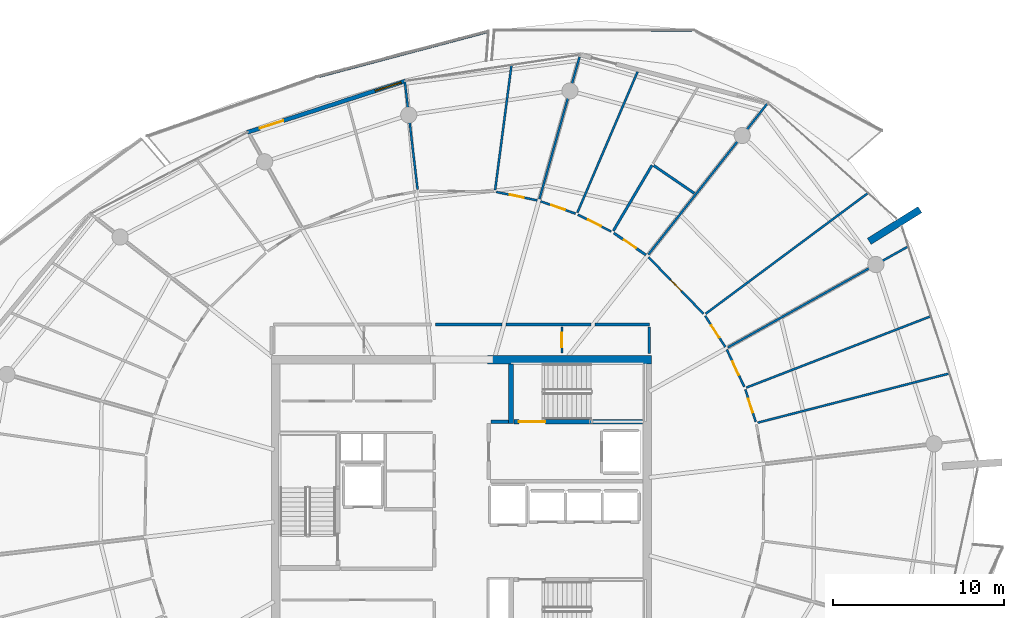
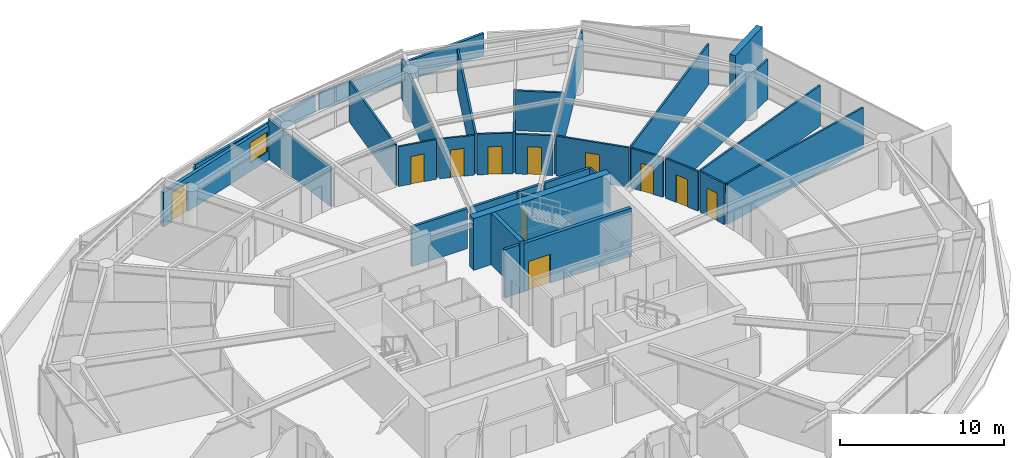
# One storey, part 22 of 30: 32 walls, 11 doors, 1 window, 12 openings.
"""IFC4 building model written with IfcOpenShell, lengths in metres."""

from ifc_helpers import new_model, si_unit, direction, frame, frame_2d, origin, place, context, subcontext, project, spatial, polyline, rectangle, outline, extrude, material, layer, layer_set, type_object, element, fill, save


model = new_model("IFC4")

# Units and contexts
model_context = context("Model", 3, precision=1e-05, world=origin(), true_north=direction((0.0, 1.0)))
body_context = subcontext(model_context, "Body", "Model", "MODEL_VIEW")
ifc_project = project(units=[si_unit("LENGTHUNIT", "METRE"), si_unit("AREAUNIT", "SQUARE_METRE"), si_unit("VOLUMEUNIT", "CUBIC_METRE"), si_unit("PLANEANGLEUNIT", "RADIAN"), si_unit("MASSUNIT", "GRAM", prefix="KILO")], contexts=[model_context])

# Site, building, storey
site_placement = place(None, origin())
site = spatial("IfcSite", under=ifc_project, at=site_placement, CompositionType="ELEMENT")
building_placement = place(site_placement, origin())
building = spatial("IfcBuilding", under=site, at=building_placement, Name="Kazma Halo Residences", CompositionType="ELEMENT")
storey_placement = place(building_placement, frame((0.0, 0.0, 294.449951171875)))
storey = spatial("IfcBuildingStorey", under=building, at=storey_placement, Name="L74", CompositionType="ELEMENT", Elevation=294.449951171875)

# Walls
ifc_material_1 = material(Name="White Concrete C50/60 Balustrade", Category="concrete")
ifc_layer_1 = layer(ifc_material_1, 0.179931640625)
ifc_layer_set_1 = layer_set([ifc_layer_1], Name="White Concrete C50/60 Balustrade")
wall_type_1 = type_object("IfcWallType", Name="WL-BAL-WAVE-180", PredefinedType="PARAPET", material=ifc_layer_set_1)
wall_1_placement = place(storey_placement, frame((61.913330078125, 69.5419921875, 0.0), z_axis=(0.0, 0.0, 1.0), x_axis=(-0.999999919723, -0.000400691688, 0.0)))
element("IfcWall", 1, at=wall_1_placement, inside=storey, type_object=wall_type_1, Name="L74 white wave balustrade wall NE.2", PredefinedType="PARAPET", context=body_context, shape_type="SweptSolid", body=[
    extrude(outline(polyline([(0.0, 0.0), (11.57666015625, 0.0), (11.576904296875, 1.233154296875), (5.788330078125, 1.41796875), (0.0, 1.632080078125), (0.0, 0.0)])), frame((0.0, 0.08984375, 0.0), z_axis=(0.0, -1.0, 0.0), x_axis=(1.0, 0.0, 0.0)), (0.0, 0.0, 1.0), 0.179931640625),
])
wall_2_placement = place(storey_placement, frame((49.993408203125, 69.47265625, 0.0), z_axis=(0.0, 0.0, 1.0), x_axis=(-0.96657188746, -0.256395761219, 0.0)))
element("IfcWall", 2, at=wall_2_placement, inside=storey, type_object=wall_type_1, Name="L74 white wave balustrade wall NNW.1", PredefinedType="PARAPET", context=body_context, shape_type="SweptSolid", body=[
    extrude(outline(polyline([(0.0, 0.0), (10.281005859375, 0.0), (10.281005859375, 1.14794921875), (5.140380859375, 1.126953125), (0.0, 1.22412109375), (0.0, 0.0)])), frame((0.0, 0.08984375, 0.0), z_axis=(0.0, -1.0, 0.0), x_axis=(1.0, 0.0, 0.0)), (0.0, 0.0, 1.0), 0.179931640625),
])
ifc_material_2 = material(Name="Pale Concrete C60/75", Category="concrete")
ifc_layer_2 = layer(ifc_material_2, 0.419921875)
ifc_layer_set_2 = layer_set([ifc_layer_2], Name="Pale Concrete C60/75")
wall_type_2 = type_object("IfcWallType", Name="WL-BLADE-420", PredefinedType="SOLIDWALL", material=ifc_layer_set_2)
wall_3_placement = place(storey_placement, frame((72.281494140625, 57.172607421875, 0.0), z_axis=(0.0, 0.0, 1.0), x_axis=(0.848033572426, 0.529942506352, 0.0)))
element("IfcWall", 3, at=wall_3_placement, inside=storey, type_object=wall_type_2, Name="L74 pale concrete structural blade fin wall BW-01", PredefinedType="SOLIDWALL", context=body_context, shape_type="SweptSolid", body=[
    extrude(rectangle(XDim=3.5, YDim=0.419921875, at=frame_2d((1.75, 0.0))), origin(), (0.0, 0.0, 1.0), 3.85009765625),
])
ifc_material_3 = material(Name="Concrete C60/75", Category="concrete")
ifc_layer_3 = layer(ifc_material_3, 0.5)
ifc_layer_set_3 = layer_set([ifc_layer_3], Name="Concrete C60/75")
wall_type_3 = type_object("IfcWallType", Name="WL-CORE-500", PredefinedType="SHEAR", material=ifc_layer_set_3)
wall_4_placement = place(storey_placement, frame((49.949951171875, 50.25, 0.0), z_axis=(0.0, 0.0, 1.0), x_axis=(1.0, 0.0, 0.0)))
element("IfcWall", 4, at=wall_4_placement, inside=storey, type_object=wall_type_3, Name="L74 central core shear wall NE", PredefinedType="SHEAR", context=body_context, shape_type="SweptSolid", body=[
    extrude(rectangle(XDim=9.60009765625, YDim=0.5, at=frame_2d((4.800048828125, 0.0))), origin(), (0.0, 0.0, 1.0), 3.85009765625),
])
ifc_layer_4 = layer(ifc_material_3, 0.280029296875)
ifc_layer_set_4 = layer_set([ifc_layer_4], Name="Concrete C60/75")
wall_type_4 = type_object("IfcWallType", Name="WL-CORE-ST-280", PredefinedType="SHEAR", material=ifc_layer_set_4)
wall_5_placement = place(storey_placement, frame((51.31005859375, 46.5, 0.0), z_axis=(0.0, 0.0, 1.0), x_axis=(0.0, 1.0, 0.0)))
element("IfcWall", 5, at=wall_5_placement, inside=storey, type_object=wall_type_4, Name="L74 stairwell bearing wall ST02-W", PredefinedType="SHEAR", context=body_context, shape_type="SweptSolid", body=[
    extrude(rectangle(XDim=3.5, YDim=0.280029296875, at=frame_2d((1.75, 0.0))), origin(), (0.0, 0.0, 1.0), 3.85009765625),
])
ifc_material_4 = material(Name="Acoustic Twin-Stud Gypsum")
ifc_layer_5 = layer(ifc_material_4, 0.179931640625)
ifc_layer_set_5 = layer_set([ifc_layer_5], Name="Acoustic Twin-Stud Gypsum")
wall_type_5 = type_object("IfcWallType", Name="WL-DEM-180", PredefinedType="PARTITIONING", material=ifc_layer_set_5)
wall_6_placement = place(storey_placement, frame((59.429931640625, 52.300048828125, 0.0), z_axis=(0.0, 0.0, 1.0), x_axis=(-1.0, 0.0, 0.0)))
element("IfcWall", 6, at=wall_6_placement, inside=storey, type_object=wall_type_5, Name="L74 Apartment 2 inner wall 0", PredefinedType="PARTITIONING", context=body_context, shape_type="SweptSolid", body=[
    extrude(rectangle(XDim=3.18994140625, YDim=0.179931640625, at=frame_2d((1.594970703125, 0.0))), origin(), (0.0, 0.0, 1.0), 2.95703125),
])
wall_7_placement = place(storey_placement, frame((56.0, 52.300048828125, 0.0), z_axis=(0.0, 0.0, 1.0), x_axis=(-1.0, 0.0, 0.0)))
element("IfcWall", 7, at=wall_7_placement, inside=storey, type_object=wall_type_5, Name="L74 Apartment 2 inner wall 1", PredefinedType="PARTITIONING", context=body_context, shape_type="SweptSolid", body=[
    extrude(rectangle(XDim=4.97509765625, YDim=0.179931640625, at=frame_2d((2.487548828125, 0.0))), origin(), (0.0, 0.0, 1.0), 2.95703125),
])
wall_8_placement = place(storey_placement, frame((50.784912109375, 52.300048828125, 0.0), z_axis=(0.0, 0.0, 1.0), x_axis=(-1.0, 0.0, 0.0)))
element("IfcWall", 8, at=wall_8_placement, inside=storey, type_object=wall_type_5, Name="L74 Apartment 2 inner wall 2", PredefinedType="PARTITIONING", context=body_context, shape_type="SweptSolid", body=[
    extrude(rectangle(XDim=3.884033203125, YDim=0.179931640625, at=frame_2d((1.94189453125, 0.0))), origin(), (0.0, 0.0, 1.0), 2.95703125),
])

# Wall, openings, door, window
ifc_material_5 = material(Name="Insulated Pale-Metal Composite Wall")
ifc_layer_6 = layer(ifc_material_5, 0.239990234375)
ifc_layer_set_6 = layer_set([ifc_layer_6], Name="Insulated Pale-Metal Composite Wall")
wall_type_6 = type_object("IfcWallType", Name="WL-EXT-HOST-240", PredefinedType="SOLIDWALL", material=ifc_layer_set_6)
wall_9_placement = place(storey_placement, frame((45.14208984375, 66.563720703125, 0.0), z_axis=(0.0, 0.0, 1.0), x_axis=(-0.951055974609, -0.309018661507, 0.0)))
wall_9 = element("IfcWall", 9, at=wall_9_placement, inside=storey, type_object=wall_type_6, Name="L74 exterior terrace-access wall B04", PredefinedType="SOLIDWALL", context=body_context, shape_type="SweptSolid", body=[
    extrude(rectangle(XDim=9.745361328125, YDim=0.239990234375, at=frame_2d((4.87255859375, 0.0))), origin(), (0.0, 0.0, 1.0), 2.5400390625),
])
opening_1_placement = place(wall_9_placement, frame((7.525390625, 0.0, 0.0)))
opening_1 = element("IfcOpeningElement", 10, at=opening_1_placement, cuts=wall_9, Name="Opening DTR-1600", PredefinedType="OPENING", context=body_context, shape_type="SweptSolid", body=[
    extrude(rectangle(XDim=1.449951171875, YDim=2.14990234375, at=frame_2d((0.72509765625, 1.074951171875))), frame((0.0, 0.1298828125, 0.0), z_axis=(0.0, -1.0, 0.0), x_axis=(1.0, 0.0, 0.0)), (0.0, 0.0, 1.0), 0.260009765625),
])
opening_2_placement = place(wall_9_placement, frame((0.280029296875, 0.0, 0.64990234375)))
opening_2 = element("IfcOpeningElement", 11, at=opening_2_placement, cuts=wall_9, Name="Opening W-1800", PredefinedType="OPENING", context=body_context, shape_type="SweptSolid", body=[
    extrude(rectangle(XDim=1.60009765625, YDim=1.5, at=frame_2d((0.800048828125, 0.75))), frame((0.0, 0.1298828125, 0.0), z_axis=(0.0, -1.0, 0.0), x_axis=(1.0, 0.0, 0.0)), (0.0, 0.0, 1.0), 0.260009765625),
])
ifc_material_6 = material(Name="Aluminium AW-6063 T6 Double-Glazed Terrace Door", Category="aluminium")
door_type_1 = type_object("IfcDoorType", Name="DR-EXT-TERR-1600", OperationType="NOTDEFINED", PredefinedType="DOOR", material=ifc_material_6)
door_1_placement = place(opening_1_placement, origin())
door_1 = element("IfcDoor", 12, at=door_1_placement, inside=storey, type_object=door_type_1, Name="L74 B04 balcony terrace door", OperationType="DOUBLE_DOOR_SLIDING", OverallHeight=2.14990234375, OverallWidth=1.449951171875, PredefinedType="DOOR", context=body_context, shape_type="SweptSolid", body=[
    extrude(rectangle(XDim=1.449951171875, YDim=2.14990234375, at=frame_2d((0.72509765625, 1.074951171875))), frame((0.0, 0.02490234375, 0.0), z_axis=(0.0, -1.0, 0.0), x_axis=(1.0, 0.0, 0.0)), (0.0, 0.0, 1.0), 0.050048828125),
])
fill(opening_1, door_1)
ifc_material_7 = material(Name="Clear Triple-Silver Low-E Glass in Aluminium AW-6063 T6 Frame", Category="aluminium")
window_type = type_object("IfcWindowType", Name="WIN-RES-1800", PartitioningType="DOUBLE_PANEL_VERTICAL", PredefinedType="WINDOW", material=ifc_material_7)
window_placement = place(opening_2_placement, origin())
window = element("IfcWindow", 13, at=window_placement, inside=storey, type_object=window_type, Name="L74 B04 apartment window", OverallHeight=1.5, OverallWidth=1.60009765625, PartitioningType="SINGLE_PANEL", PredefinedType="WINDOW", context=body_context, shape_type="SweptSolid", body=[
    extrude(rectangle(XDim=1.60009765625, YDim=1.5, at=frame_2d((0.800048828125, 0.75))), frame((0.0, 0.030029296875, 0.0), z_axis=(0.0, -1.0, 0.0), x_axis=(1.0, 0.0, 0.0)), (0.0, 0.0, 1.0), 0.06005859375),
])
fill(opening_2, window)

# Walls
ifc_material_8 = material(Name="Fire-Rated Blockwork Masonry", Category="masonry")
ifc_layer_7 = layer(ifc_material_8, 0.199951171875)
ifc_layer_set_7 = layer_set([ifc_layer_7], Name="Fire-Rated Blockwork Masonry")
wall_type_7 = type_object("IfcWallType", Name="WL-FLB-200", PredefinedType="PARTITIONING", material=ifc_layer_set_7)
wall_10_placement = place(storey_placement, frame((50.139892578125, 46.6201171875, 0.0), z_axis=(0.0, 0.0, 1.0), x_axis=(1.0, 0.0, 0.0)))
element("IfcWall", 14, at=wall_10_placement, inside=storey, type_object=wall_type_7, Name="L74 east firefighting lobby north closure wall", PredefinedType="PARTITIONING", context=body_context, shape_type="SweptSolid", body=[
    extrude(rectangle(XDim=1.02001953125, YDim=0.199951171875, at=frame_2d((0.510009765625, 0.0))), origin(), (0.0, 0.0, 1.0), 3.590087890625),
])
ifc_material_9 = material(Name="Gypsum Plasterboard Partition")
ifc_layer_8 = layer(ifc_material_9, 0.125)
ifc_layer_set_8 = layer_set([ifc_layer_8], Name="Gypsum Plasterboard Partition")
wall_type_8 = type_object("IfcWallType", Name="WL-PART-125", PredefinedType="PARTITIONING", material=ifc_layer_set_8)
wall_11_placement = place(storey_placement, frame((59.409912109375, 50.6201171875, 0.0), z_axis=(0.0, 0.0, 1.0), x_axis=(0.0, 1.0, 0.0)))
element("IfcWall", 15, at=wall_11_placement, inside=storey, type_object=wall_type_8, Name="L74 east cupboard end wall", PredefinedType="PARTITIONING", context=body_context, shape_type="SweptSolid", body=[
    extrude(rectangle(XDim=1.539794921875, YDim=0.125, at=frame_2d((0.77001953125, 0.0))), origin(), (0.0, 0.0, 1.0), 3.030029296875),
])

# Wall, opening, door
wall_12_placement = place(storey_placement, frame((54.2900390625, 50.639892578125, 0.0), z_axis=(0.0, 0.0, 1.0), x_axis=(0.0, 1.0, 0.0)))
wall_12 = element("IfcWall", 16, at=wall_12_placement, inside=storey, type_object=wall_type_8, Name="L74 floor metering cupboard door wall", PredefinedType="PARTITIONING", context=body_context, shape_type="SweptSolid", body=[
    extrude(rectangle(XDim=1.52001953125, YDim=0.125, at=frame_2d((0.760009765625, 0.0))), origin(), (0.0, 0.0, 1.0), 3.030029296875),
])
opening_3_placement = place(wall_12_placement, frame((0.3349609375, 0.0, 0.0)))
opening_3 = element("IfcOpeningElement", 17, at=opening_3_placement, cuts=wall_12, Name="Opening DS-850", PredefinedType="OPENING", context=body_context, shape_type="SweptSolid", body=[
    extrude(rectangle(XDim=0.85009765625, YDim=2.06005859375, at=frame_2d((0.425048828125, 1.030029296875))), frame((0.0, 0.072509765625, 0.0), z_axis=(0.0, -1.0, 0.0), x_axis=(1.0, 0.0, 0.0)), (0.0, 0.0, 1.0), 0.14501953125),
])
ifc_material_10 = material(Name="Painted Steel Access Leaf", Category="steel")
door_type_2 = type_object("IfcDoorType", Name="DR-SVC-850", OperationType="NOTDEFINED", PredefinedType="DOOR", material=ifc_material_10)
door_2_placement = place(opening_3_placement, origin())
door_2 = element("IfcDoor", 18, at=door_2_placement, inside=storey, type_object=door_type_2, Name="L74 floor cupboard door", OperationType="SINGLE_SWING_RIGHT", OverallHeight=2.06005859375, OverallWidth=0.85009765625, PredefinedType="DOOR", context=body_context, shape_type="SweptSolid", body=[
    extrude(rectangle(XDim=0.85009765625, YDim=2.06005859375, at=frame_2d((0.425048828125, 1.030029296875))), frame((0.0, 0.02490234375, 0.0), z_axis=(0.0, -1.0, 0.0), x_axis=(1.0, 0.0, 0.0)), (0.0, 0.0, 1.0), 0.050048828125),
])
fill(opening_3, door_2)

# Walls
wall_13_placement = place(storey_placement, frame((65.750244140625, 46.5576171875, 0.0), z_axis=(0.0, 0.0, 1.0), x_axis=(0.968584853299, 0.248683296503, 0.0)))
element("IfcWall", 19, at=wall_13_placement, inside=storey, type_object=wall_type_8, Name="L74 Apartment 2 bay wall 1 15", PredefinedType="PARTITIONING", context=body_context, shape_type="SweptSolid", body=[
    extrude(rectangle(XDim=11.57763671875, YDim=0.125, at=frame_2d((5.788818359375, 0.0))), origin(), (0.0, 0.0, 1.0), 3.030029296875),
])
wall_14_placement = place(storey_placement, frame((65.091552734375, 48.6123046875, 0.0), z_axis=(0.0, 0.0, 1.0), x_axis=(0.932639155343, 0.360810484772, 0.0)))
element("IfcWall", 20, at=wall_14_placement, inside=storey, type_object=wall_type_8, Name="L74 Apartment 2 bay wall 2 15", PredefinedType="PARTITIONING", context=body_context, shape_type="SweptSolid", body=[
    extrude(rectangle(XDim=11.56396484375, YDim=0.125, at=frame_2d((5.781982421875, 0.0))), origin(), (0.0, 0.0, 1.0), 3.030029296875),
])

# Wall, opening, door
wall_15_placement = place(storey_placement, frame((65.638671875, 46.611328125, 0.0), z_axis=(0.0, 0.0, 1.0), x_axis=(-0.305332960883, 0.952245652654, 0.0)))
wall_15 = element("IfcWall", 21, at=wall_15_placement, inside=storey, type_object=wall_type_8, Name="L74 Apartment 2 West Dressing Wardrobe hall wall", PredefinedType="PARTITIONING", context=body_context, shape_type="SweptSolid", body=[
    extrude(rectangle(XDim=1.987060546875, YDim=0.125, at=frame_2d((0.99365234375, 0.0))), origin(), (0.0, 0.0, 1.0), 3.030029296875),
])
opening_4_placement = place(wall_15_placement, frame((0.568603515625, 0.0, 0.0)))
opening_4 = element("IfcOpeningElement", 22, at=opening_4_placement, cuts=wall_15, Name="Opening DB-900", PredefinedType="OPENING", context=body_context, shape_type="SweptSolid", body=[
    extrude(rectangle(XDim=0.85009765625, YDim=2.06005859375, at=frame_2d((0.425048828125, 1.030029296875))), frame((0.0, 0.072509765625, 0.0), z_axis=(0.0, -1.0, 0.0), x_axis=(1.0, 0.0, 0.0)), (0.0, 0.0, 1.0), 0.14501953125),
])
ifc_material_11 = material(Name="Moisture-Sealed Timber Leaf", Category="wood")
door_type_3 = type_object("IfcDoorType", Name="DR-BTH-900", OperationType="NOTDEFINED", PredefinedType="DOOR", material=ifc_material_11)
door_3_placement = place(opening_4_placement, origin())
door_3 = element("IfcDoor", 23, at=door_3_placement, inside=storey, type_object=door_type_3, Name="L74 Apartment 2 West Dressing Wardrobe door", OperationType="SINGLE_SWING_RIGHT", OverallHeight=2.06005859375, OverallWidth=0.85009765625, PredefinedType="DOOR", context=body_context, shape_type="SweptSolid", body=[
    extrude(rectangle(XDim=0.85009765625, YDim=2.06005859375, at=frame_2d((0.425048828125, 1.030029296875))), frame((0.0, 0.02490234375, 0.0), z_axis=(0.0, -1.0, 0.0), x_axis=(1.0, 0.0, 0.0)), (0.0, 0.0, 1.0), 0.050048828125),
])
fill(opening_4, door_3)

wall_16_placement = place(storey_placement, frame((64.973388671875, 48.652099609375, 0.0), z_axis=(0.0, 0.0, 1.0), x_axis=(-0.425743502352, 0.904843892727, 0.0)))
wall_16 = element("IfcWall", 24, at=wall_16_placement, inside=storey, type_object=wall_type_8, Name="L74 Apartment 2 North Master Bedroom hall wall", PredefinedType="PARTITIONING", context=body_context, shape_type="SweptSolid", body=[
    extrude(rectangle(XDim=2.416015625, YDim=0.125, at=frame_2d((1.2080078125, 0.0))), origin(), (0.0, 0.0, 1.0), 2.95703125),
])
opening_5_placement = place(wall_16_placement, frame((0.782958984375, 0.0, 0.0)))
opening_5 = element("IfcOpeningElement", 25, at=opening_5_placement, cuts=wall_16, Name="Opening DB-900", PredefinedType="OPENING", context=body_context, shape_type="SweptSolid", body=[
    extrude(rectangle(XDim=0.85009765625, YDim=2.06005859375, at=frame_2d((0.425048828125, 1.030029296875))), frame((0.0, 0.072509765625, 0.0), z_axis=(0.0, -1.0, 0.0), x_axis=(1.0, 0.0, 0.0)), (0.0, 0.0, 1.0), 0.14501953125),
])
door_4_placement = place(opening_5_placement, origin())
door_4 = element("IfcDoor", 26, at=door_4_placement, inside=storey, type_object=door_type_3, Name="L74 Apartment 2 North Master Bedroom door", OperationType="SINGLE_SWING_LEFT", OverallHeight=2.06005859375, OverallWidth=0.85009765625, PredefinedType="DOOR", context=body_context, shape_type="SweptSolid", body=[
    extrude(rectangle(XDim=0.85009765625, YDim=2.06005859375, at=frame_2d((0.425048828125, 1.030029296875))), frame((0.0, 0.02490234375, 0.0), z_axis=(0.0, -1.0, 0.0), x_axis=(1.0, 0.0, 0.0)), (0.0, 0.0, 1.0), 0.050048828125),
])
fill(opening_5, door_4)

# Walls
wall_17_placement = place(storey_placement, frame((63.998046875, 50.95947265625, 0.0), z_axis=(0.0, 0.0, 1.0), x_axis=(0.872499131003, 0.488615663276, 0.0)))
element("IfcWall", 27, at=wall_17_placement, inside=storey, type_object=wall_type_8, Name="L74 Apartment 2 radial partition 0", PredefinedType="PARTITIONING", context=body_context, shape_type="SweptSolid", body=[
    extrude(rectangle(XDim=12.09375, YDim=0.125, at=frame_2d((6.046875, 0.0))), origin(), (0.0, 0.0, 1.0), 2.95703125),
])
wall_18_placement = place(storey_placement, frame((62.706787109375, 52.93408203125, 0.0), z_axis=(0.0, 0.0, 1.0), x_axis=(0.802495582548, 0.59665805952, 0.0)))
element("IfcWall", 28, at=wall_18_placement, inside=storey, type_object=wall_type_8, Name="L74 Apartment 2 mid-bay wall 0", PredefinedType="PARTITIONING", context=body_context, shape_type="SweptSolid", body=[
    extrude(rectangle(XDim=11.812255859375, YDim=0.125, at=frame_2d((5.90625, 0.0))), origin(), (0.0, 0.0, 1.0), 3.030029296875),
])

# Wall, opening, door
wall_19_placement = place(storey_placement, frame((63.8564453125, 50.994384765625, 0.0), z_axis=(0.0, 0.0, 1.0), x_axis=(-0.543760300151, 0.839240570981, 0.0)))
wall_19 = element("IfcWall", 29, at=wall_19_placement, inside=storey, type_object=wall_type_8, Name="L74 Apartment 2 South Wine Pantry Store hall wall", PredefinedType="PARTITIONING", context=body_context, shape_type="SweptSolid", body=[
    extrude(rectangle(XDim=2.167236328125, YDim=0.125, at=frame_2d((1.08349609375, 0.0))), origin(), (0.0, 0.0, 1.0), 2.95703125),
])
opening_6_placement = place(wall_19_placement, frame((0.65869140625, 0.0, 0.0)))
opening_6 = element("IfcOpeningElement", 30, at=opening_6_placement, cuts=wall_19, Name="Opening DB-900", PredefinedType="OPENING", context=body_context, shape_type="SweptSolid", body=[
    extrude(rectangle(XDim=0.85009765625, YDim=2.06005859375, at=frame_2d((0.425048828125, 1.030029296875))), frame((0.0, 0.072509765625, 0.0), z_axis=(0.0, -1.0, 0.0), x_axis=(1.0, 0.0, 0.0)), (0.0, 0.0, 1.0), 0.14501953125),
])
door_5_placement = place(opening_6_placement, origin())
door_5 = element("IfcDoor", 31, at=door_5_placement, inside=storey, type_object=door_type_3, Name="L74 Apartment 2 South Wine Pantry Store door", OperationType="SINGLE_SWING_LEFT", OverallHeight=2.06005859375, OverallWidth=0.85009765625, PredefinedType="DOOR", context=body_context, shape_type="SweptSolid", body=[
    extrude(rectangle(XDim=0.85009765625, YDim=2.06005859375, at=frame_2d((0.425048828125, 1.030029296875))), frame((0.0, 0.02490234375, 0.0), z_axis=(0.0, -1.0, 0.0), x_axis=(1.0, 0.0, 0.0)), (0.0, 0.0, 1.0), 0.050048828125),
])
fill(opening_6, door_5)

wall_20_placement = place(storey_placement, frame((62.57861328125, 52.937744140625, 0.0), z_axis=(0.0, 0.0, 1.0), x_axis=(-0.697017998251, 0.717053631268, 0.0)))
wall_20 = element("IfcWall", 32, at=wall_20_placement, inside=storey, type_object=wall_type_8, Name="L74 Apartment 2 Inner Formal Dining Room hall wall", PredefinedType="PARTITIONING", context=body_context, shape_type="SweptSolid", body=[
    extrude(rectangle(XDim=4.6181640625, YDim=0.125, at=frame_2d((2.30908203125, 0.0))), origin(), (0.0, 0.0, 1.0), 2.95703125),
])
opening_7_placement = place(wall_20_placement, frame((1.859130859375, 0.0, 0.0)))
opening_7 = element("IfcOpeningElement", 33, at=opening_7_placement, cuts=wall_20, Name="Opening DI-950", PredefinedType="OPENING", context=body_context, shape_type="SweptSolid", body=[
    extrude(rectangle(XDim=0.89990234375, YDim=2.080078125, at=frame_2d((0.449951171875, 1.0400390625))), frame((0.0, 0.072509765625, 0.0), z_axis=(0.0, -1.0, 0.0), x_axis=(1.0, 0.0, 0.0)), (0.0, 0.0, 1.0), 0.14501953125),
])
ifc_material_12 = material(Name="Timber Veneer Flush Leaf", Category="wood")
door_type_4 = type_object("IfcDoorType", Name="DR-INT-950", OperationType="NOTDEFINED", PredefinedType="DOOR", material=ifc_material_12)
door_6_placement = place(opening_7_placement, origin())
door_6 = element("IfcDoor", 34, at=door_6_placement, inside=storey, type_object=door_type_4, Name="L74 Apartment 2 Inner Formal Dining Room door", OperationType="SINGLE_SWING_RIGHT", OverallHeight=2.080078125, OverallWidth=0.89990234375, PredefinedType="DOOR", context=body_context, shape_type="SweptSolid", body=[
    extrude(rectangle(XDim=0.89990234375, YDim=2.080078125, at=frame_2d((0.449951171875, 1.0400390625))), frame((0.0, 0.02490234375, 0.0), z_axis=(0.0, -1.0, 0.0), x_axis=(1.0, 0.0, 0.0)), (0.0, 0.0, 1.0), 0.050048828125),
])
fill(opening_7, door_6)

# Walls
wall_21_placement = place(storey_placement, frame((59.351806640625, 56.3994140625, 0.0), z_axis=(0.0, 0.0, 1.0), x_axis=(0.619083822168, 0.78532491437, 0.0)))
element("IfcWall", 35, at=wall_21_placement, inside=storey, type_object=wall_type_8, Name="L74 Apartment 2 radial partition 1", PredefinedType="PARTITIONING", context=body_context, shape_type="SweptSolid", body=[
    extrude(rectangle(XDim=11.259765625, YDim=0.125, at=frame_2d((5.6298828125, 0.0))), origin(), (0.0, 0.0, 1.0), 2.95703125),
])
wall_22_placement = place(storey_placement, frame((55.19873046875, 58.852783203125, 0.0), z_axis=(0.0, 0.0, 1.0), x_axis=(0.392818008104, 0.919616231104, 0.0)))
element("IfcWall", 36, at=wall_22_placement, inside=storey, type_object=wall_type_8, Name="L74 Apartment 2 suite divider 1", PredefinedType="PARTITIONING", context=body_context, shape_type="SweptSolid", body=[
    extrude(rectangle(XDim=8.96533203125, YDim=0.125, at=frame_2d((4.482666015625, 0.0))), origin(), (0.0, 0.0, 1.0), 3.030029296875),
])

# Wall, opening, door
wall_23_placement = place(storey_placement, frame((57.177978515625, 57.751708984375, 0.0), z_axis=(0.0, 0.0, 1.0), x_axis=(-0.892467562153, 0.451111572125, 0.0)))
wall_23 = element("IfcWall", 37, at=wall_23_placement, inside=storey, type_object=wall_type_8, Name="L74 Apartment 2 Garden Private Study hall wall", PredefinedType="PARTITIONING", context=body_context, shape_type="SweptSolid", body=[
    extrude(rectangle(XDim=2.17724609375, YDim=0.125, at=frame_2d((1.088623046875, 0.0))), origin(), (0.0, 0.0, 1.0), 3.030029296875),
])
opening_8_placement = place(wall_23_placement, frame((0.66357421875, 0.0, 0.0)))
opening_8 = element("IfcOpeningElement", 38, at=opening_8_placement, cuts=wall_23, Name="Opening DB-900", PredefinedType="OPENING", context=body_context, shape_type="SweptSolid", body=[
    extrude(rectangle(XDim=0.85009765625, YDim=2.06005859375, at=frame_2d((0.425048828125, 1.030029296875))), frame((0.0, 0.072509765625, 0.0), z_axis=(0.0, -1.0, 0.0), x_axis=(1.0, 0.0, 0.0)), (0.0, 0.0, 1.0), 0.14501953125),
])
door_7_placement = place(opening_8_placement, origin())
door_7 = element("IfcDoor", 39, at=door_7_placement, inside=storey, type_object=door_type_3, Name="L74 Apartment 2 Garden Private Study door", OperationType="SINGLE_SWING_RIGHT", OverallHeight=2.06005859375, OverallWidth=0.85009765625, PredefinedType="DOOR", context=body_context, shape_type="SweptSolid", body=[
    extrude(rectangle(XDim=0.85009765625, YDim=2.06005859375, at=frame_2d((0.425048828125, 1.030029296875))), frame((0.0, 0.02490234375, 0.0), z_axis=(0.0, -1.0, 0.0), x_axis=(1.0, 0.0, 0.0)), (0.0, 0.0, 1.0), 0.050048828125),
])
fill(opening_8, door_7)

wall_24_placement = place(storey_placement, frame((55.087890625, 58.796630859375, 0.0), z_axis=(0.0, 0.0, 1.0), x_axis=(-0.942971615288, 0.332873148152, 0.0)))
wall_24 = element("IfcWall", 40, at=wall_24_placement, inside=storey, type_object=wall_type_8, Name="L74 Apartment 2 Sky Master Bedroom hall wall", PredefinedType="PARTITIONING", context=body_context, shape_type="SweptSolid", body=[
    extrude(rectangle(XDim=2.167236328125, YDim=0.125, at=frame_2d((1.08349609375, 0.0))), origin(), (0.0, 0.0, 1.0), 2.95703125),
])
opening_9_placement = place(wall_24_placement, frame((0.65869140625, 0.0, 0.0)))
opening_9 = element("IfcOpeningElement", 41, at=opening_9_placement, cuts=wall_24, Name="Opening DB-900", PredefinedType="OPENING", context=body_context, shape_type="SweptSolid", body=[
    extrude(rectangle(XDim=0.85009765625, YDim=2.06005859375, at=frame_2d((0.425048828125, 1.030029296875))), frame((0.0, 0.072509765625, 0.0), z_axis=(0.0, -1.0, 0.0), x_axis=(1.0, 0.0, 0.0)), (0.0, 0.0, 1.0), 0.14501953125),
])
door_8_placement = place(opening_9_placement, origin())
door_8 = element("IfcDoor", 42, at=door_8_placement, inside=storey, type_object=door_type_3, Name="L74 Apartment 2 Sky Master Bedroom door", OperationType="SINGLE_SWING_LEFT", OverallHeight=2.06005859375, OverallWidth=0.85009765625, PredefinedType="DOOR", context=body_context, shape_type="SweptSolid", body=[
    extrude(rectangle(XDim=0.85009765625, YDim=2.06005859375, at=frame_2d((0.425048828125, 1.030029296875))), frame((0.0, 0.02490234375, 0.0), z_axis=(0.0, -1.0, 0.0), x_axis=(1.0, 0.0, 0.0)), (0.0, 0.0, 1.0), 0.050048828125),
])
fill(opening_9, door_8)

# Walls
wall_25_placement = place(storey_placement, frame((52.97705078125, 59.6474609375, 0.0), z_axis=(0.0, 0.0, 1.0), x_axis=(0.271446085083, 0.96245364714, 0.0)))
element("IfcWall", 43, at=wall_25_placement, inside=storey, type_object=wall_type_8, Name="L74 Apartment 2 radial partition 2", PredefinedType="PARTITIONING", context=body_context, shape_type="SweptSolid", body=[
    extrude(rectangle(XDim=8.648681640625, YDim=0.125, at=frame_2d((4.32421875, 0.0))), origin(), (0.0, 0.0, 1.0), 2.95703125),
])
wall_26_placement = place(storey_placement, frame((50.382568359375, 60.17041015625, 0.0), z_axis=(0.0, 0.0, 1.0), x_axis=(0.129989099313, 0.991515423006, 0.0)))
element("IfcWall", 44, at=wall_26_placement, inside=storey, type_object=wall_type_8, Name="L74 Apartment 2 mid-bay wall 2", PredefinedType="PARTITIONING", context=body_context, shape_type="SweptSolid", body=[
    extrude(rectangle(XDim=7.35498046875, YDim=0.125, at=frame_2d((3.677490234375, 0.0))), origin(), (0.0, 0.0, 1.0), 3.030029296875),
])

# Wall, opening, door
wall_27_placement = place(storey_placement, frame((52.85205078125, 59.5712890625, 0.0), z_axis=(0.0, 0.0, 1.0), x_axis=(-0.979521745736, 0.201338395816, 0.0)))
wall_27 = element("IfcWall", 45, at=wall_27_placement, inside=storey, type_object=wall_type_8, Name="L74 Apartment 2 Gulf Wine Pantry Store hall wall", PredefinedType="PARTITIONING", context=body_context, shape_type="SweptSolid", body=[
    extrude(rectangle(XDim=2.453125, YDim=0.125, at=frame_2d((1.2265625, 0.0))), origin(), (0.0, 0.0, 1.0), 2.95703125),
])
opening_10_placement = place(wall_27_placement, frame((0.801513671875, 0.0, 0.0)))
opening_10 = element("IfcOpeningElement", 46, at=opening_10_placement, cuts=wall_27, Name="Opening DB-900", PredefinedType="OPENING", context=body_context, shape_type="SweptSolid", body=[
    extrude(rectangle(XDim=0.85009765625, YDim=2.06005859375, at=frame_2d((0.425048828125, 1.030029296875))), frame((0.0, 0.072509765625, 0.0), z_axis=(0.0, -1.0, 0.0), x_axis=(1.0, 0.0, 0.0)), (0.0, 0.0, 1.0), 0.14501953125),
])
door_9_placement = place(opening_10_placement, origin())
door_9 = element("IfcDoor", 47, at=door_9_placement, inside=storey, type_object=door_type_3, Name="L74 Apartment 2 Gulf Wine Pantry Store door", OperationType="SINGLE_SWING_LEFT", OverallHeight=2.06005859375, OverallWidth=0.85009765625, PredefinedType="DOOR", context=body_context, shape_type="SweptSolid", body=[
    extrude(rectangle(XDim=0.85009765625, YDim=2.06005859375, at=frame_2d((0.425048828125, 1.030029296875))), frame((0.0, 0.02490234375, 0.0), z_axis=(0.0, -1.0, 0.0), x_axis=(1.0, 0.0, 0.0)), (0.0, 0.0, 1.0), 0.050048828125),
])
fill(opening_10, door_9)

# Wall
wall_28_placement = place(storey_placement, frame((45.8447265625, 60.208984375, 0.0), z_axis=(0.0, 0.0, 1.0), x_axis=(-0.117529592268, 0.993069380729, 0.0)))
element("IfcWall", 48, at=wall_28_placement, inside=storey, type_object=wall_type_8, Name="L74 Apartment 2 radial partition 3", PredefinedType="PARTITIONING", context=body_context, shape_type="SweptSolid", body=[
    extrude(rectangle(XDim=6.358642578125, YDim=0.125, at=frame_2d((3.17919921875, 0.0))), origin(), (0.0, 0.0, 1.0), 2.95703125),
])

# Wall, opening, door
ifc_material_13 = material(Name="Concrete C50/60", Category="concrete")
ifc_layer_9 = layer(ifc_material_13, 0.25)
ifc_layer_set_9 = layer_set([ifc_layer_9], Name="Concrete C50/60")
wall_type_9 = type_object("IfcWallType", Name="WL-SHF-250", PredefinedType="SOLIDWALL", material=ifc_layer_set_9)
wall_29_placement = place(storey_placement, frame((51.47998046875, 46.6201171875, 0.0), z_axis=(0.0, 0.0, 1.0), x_axis=(1.0, 0.0, 0.0)))
wall_29 = element("IfcWall", 49, at=wall_29_placement, inside=storey, type_object=wall_type_9, Name="L74 exit stair ST-02 enclosure wall", PredefinedType="SOLIDWALL", context=body_context, shape_type="SweptSolid", body=[
    extrude(rectangle(XDim=7.5400390625, YDim=0.25, at=frame_2d((3.77001953125, 0.0))), origin(), (0.0, 0.0, 1.0), 3.590087890625),
])
opening_11_placement = place(wall_29_placement, frame((0.300048828125, 0.0, 0.0)))
opening_11 = element("IfcOpeningElement", 50, at=opening_11_placement, cuts=wall_29, Name="Opening D-ST2", PredefinedType="OPENING", context=body_context, shape_type="SweptSolid", body=[
    extrude(rectangle(XDim=1.550048828125, YDim=2.14990234375, at=frame_2d((0.77490234375, 1.074951171875))), frame((0.0, 0.135009765625, 0.0), z_axis=(0.0, -1.0, 0.0), x_axis=(1.0, 0.0, 0.0)), (0.0, 0.0, 1.0), 0.27001953125),
])
ifc_material_14 = material(Name="Fire-Rated Double Steel Leaf", Category="steel")
door_type_5 = type_object("IfcDoorType", Name="DR-FD90-1550", OperationType="NOTDEFINED", PredefinedType="DOOR", material=ifc_material_14)
door_10_placement = place(opening_11_placement, origin())
door_10 = element("IfcDoor", 51, at=door_10_placement, inside=storey, type_object=door_type_5, Name="L74 exit stair ST-02 fire door", OperationType="DOUBLE_DOOR_SINGLE_SWING", OverallHeight=2.14990234375, OverallWidth=1.550048828125, PredefinedType="DOOR", context=body_context, shape_type="SweptSolid", body=[
    extrude(rectangle(XDim=1.550048828125, YDim=2.14990234375, at=frame_2d((0.77490234375, 1.074951171875))), frame((0.0, 0.02490234375, 0.0), z_axis=(0.0, -1.0, 0.0), x_axis=(1.0, 0.0, 0.0)), (0.0, 0.0, 1.0), 0.050048828125),
])
fill(opening_11, door_10)

ifc_material_15 = material(Name="Moisture-Resistant Gypsum")
ifc_layer_10 = layer(ifc_material_15, 0.14990234375)
ifc_layer_set_10 = layer_set([ifc_layer_10], Name="Moisture-Resistant Gypsum")
wall_type_10 = type_object("IfcWallType", Name="WL-WET-150", PredefinedType="PARTITIONING", material=ifc_layer_set_10)
wall_30_placement = place(storey_placement, frame((59.207275390625, 56.37744140625, 0.0), z_axis=(0.0, 0.0, 1.0), x_axis=(-0.825259809451, 0.56475326197, 0.0)))
wall_30 = element("IfcWall", 52, at=wall_30_placement, inside=storey, type_object=wall_type_10, Name="L74 Apartment 2 Outer En-Suite Bathroom hall wall", PredefinedType="PARTITIONING", context=body_context, shape_type="SweptSolid", body=[
    extrude(rectangle(XDim=2.271728515625, YDim=0.14990234375, at=frame_2d((1.1357421875, 0.0))), origin(), (0.0, 0.0, 1.0), 2.95703125),
])
opening_12_placement = place(wall_30_placement, frame((0.710693359375, 0.0, 0.0)))
opening_12 = element("IfcOpeningElement", 53, at=opening_12_placement, cuts=wall_30, Name="Opening DB-900", PredefinedType="OPENING", context=body_context, shape_type="SweptSolid", body=[
    extrude(rectangle(XDim=0.85009765625, YDim=2.06005859375, at=frame_2d((0.425048828125, 1.030029296875))), frame((0.0, 0.0849609375, 0.0), z_axis=(0.0, -1.0, 0.0), x_axis=(1.0, 0.0, 0.0)), (0.0, 0.0, 1.0), 0.169921875),
])
door_11_placement = place(opening_12_placement, origin())
door_11 = element("IfcDoor", 54, at=door_11_placement, inside=storey, type_object=door_type_3, Name="L74 Apartment 2 Outer En-Suite Bathroom door", OperationType="SINGLE_SWING_RIGHT", OverallHeight=2.06005859375, OverallWidth=0.85009765625, PredefinedType="DOOR", context=body_context, shape_type="SweptSolid", body=[
    extrude(rectangle(XDim=0.85009765625, YDim=2.06005859375, at=frame_2d((0.425048828125, 1.030029296875))), frame((0.0, 0.02490234375, 0.0), z_axis=(0.0, -1.0, 0.0), x_axis=(1.0, 0.0, 0.0)), (0.0, 0.0, 1.0), 0.050048828125),
])
fill(opening_12, door_11)

# Walls
wall_31_placement = place(storey_placement, frame((62.048828125, 59.982177734375, 0.0), z_axis=(0.0, 0.0, 1.0), x_axis=(-0.825298975811, 0.56469602489, 0.0)))
element("IfcWall", 55, at=wall_31_placement, inside=storey, type_object=wall_type_10, Name="L74 Apartment 2 Outer En-Suite Bathroom back wall", PredefinedType="PARTITIONING", context=body_context, shape_type="SweptSolid", body=[
    extrude(rectangle(XDim=2.89111328125, YDim=0.14990234375, at=frame_2d((1.445556640625, 0.0))), origin(), (0.0, 0.0, 1.0), 2.95703125),
])
wall_32_placement = place(storey_placement, frame((57.303955078125, 57.78857421875, 0.0), z_axis=(0.0, 0.0, 1.0), x_axis=(0.507661108654, 0.861556845925, 0.0)))
element("IfcWall", 56, at=wall_32_placement, inside=storey, type_object=wall_type_10, Name="L74 Apartment 2 Outer En-Suite Bathroom side wall", PredefinedType="PARTITIONING", context=body_context, shape_type="SweptSolid", body=[
    extrude(rectangle(XDim=4.4599609375, YDim=0.14990234375, at=frame_2d((2.22998046875, 0.0))), origin(), (0.0, 0.0, 1.0), 3.030029296875),
])

save(model, "model.ifc")
